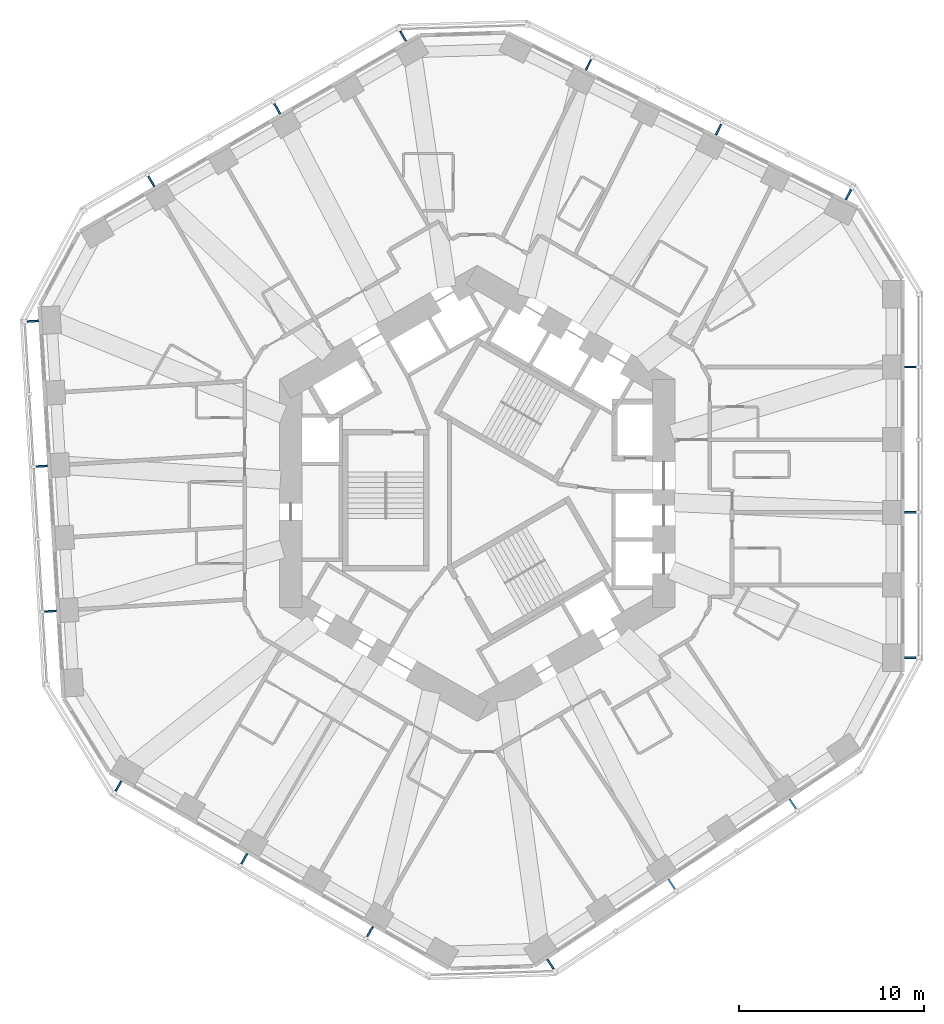
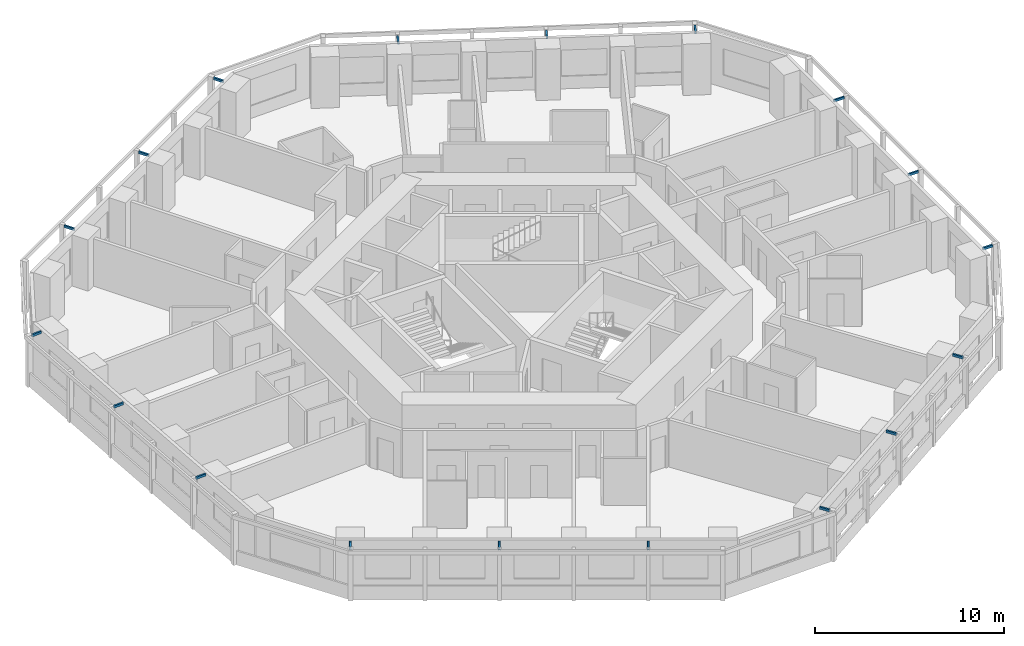
# One storey, part 11 of 12: 18 discrete accessories.
"""IFC4 building model written with IfcOpenShell, lengths in metres."""

from ifc_helpers import new_model, si_unit, direction, frame, origin, origin_2d, place, context, subcontext, project, spatial, rectangle, extrude, material, type_object, element, save


model = new_model("IFC4")

# Units and contexts
model_context = context("Model", 3, precision=1e-05, world=origin(), true_north=direction((0.0, 1.0)))
body_context = subcontext(model_context, "Body", "Model", "MODEL_VIEW")
ifc_project = project(units=[si_unit("LENGTHUNIT", "METRE"), si_unit("AREAUNIT", "SQUARE_METRE"), si_unit("VOLUMEUNIT", "CUBIC_METRE"), si_unit("PLANEANGLEUNIT", "RADIAN"), si_unit("MASSUNIT", "GRAM", prefix="KILO")], contexts=[model_context])

# Site, building, storey
site_placement = place(None, origin())
site = spatial("IfcSite", under=ifc_project, at=site_placement, CompositionType="ELEMENT")
building_placement = place(site_placement, origin())
building = spatial("IfcBuilding", under=site, at=building_placement, Name="Vanh Sen Convention Tower", CompositionType="ELEMENT")
storey_placement = place(building_placement, frame((0.0, 0.0, 60.5)))
storey = spatial("IfcBuildingStorey", under=building, at=storey_placement, Name="L12", CompositionType="ELEMENT", Elevation=60.5)

# Discrete accessories
ifc_material = material(Name="Steel S355", Category="steel")
discrete_accessory_type = type_object("IfcDiscreteAccessoryType", Name="Fin bracket 100 x 150", PredefinedType="BRACKET", material=ifc_material)
discrete_accessory_1_placement = place(storey_placement, frame((23.449951171875, -8.899169921875, 3.10009765625), z_axis=(0.0, 0.0, 1.0), x_axis=(1.0, 0.0, 0.0)))
element("IfcDiscreteAccessory", 1, at=discrete_accessory_1_placement, inside=storey, type_object=discrete_accessory_type, Name="Fin bracket E-1 L12", PredefinedType="BRACKET", context=body_context, shape_type="SweptSolid", body=[
    extrude(rectangle(XDim=0.60009765625, YDim=0.10009765625, at=origin_2d()), origin(), (0.0, 0.0, 1.0), 0.14990234375),
])
for number, where, z_axis, x_axis, name in (
    (2, (23.46240234375, -1.030029296875, 3.10009765625), (0.0, 0.0, 1.0), (1.0, 0.0, 0.0), "Fin bracket E-3 L12"),
    (3, (23.46240234375, 6.839111328125, 3.10009765625), (0.0, 0.0, 1.0), (1.0, 0.0, 0.0), "Fin bracket E-5 L12"),
):
    element("IfcDiscreteAccessory", number, at=place(storey_placement, frame(where, z_axis=z_axis, x_axis=x_axis)), inside=storey, type_object=discrete_accessory_type, Name=name, PredefinedType="BRACKET", context=body_context, shape_type="SweptSolid", body=[
        extrude(rectangle(XDim=0.625, YDim=0.10009765625, at=origin_2d()), origin(), (0.0, 0.0, 1.0), 0.14990234375),
    ])
discrete_accessory_2_placement = place(storey_placement, frame((20.10498046875, 16.178955078125, 3.10009765625), z_axis=(0.0, 0.0, 1.0), x_axis=(0.44619781311, 0.894934361602, 0.0)))
element("IfcDiscreteAccessory", 4, at=discrete_accessory_2_placement, inside=storey, type_object=discrete_accessory_type, Name="Fin bracket NE-1 L12", PredefinedType="BRACKET", context=body_context, shape_type="SweptSolid", body=[
    extrude(rectangle(XDim=0.60009765625, YDim=0.10009765625, at=origin_2d()), origin(), (0.0, 0.0, 1.0), 0.14990234375),
])
for number, where, z_axis, x_axis, name in (
    (5, (13.068359375, 19.701416015625, 3.10009765625), (0.0, 0.0, 1.0), (0.44619781311, 0.894934361602, 0.0), "Fin bracket NE-3 L12"),
    (6, (6.02587890625, 23.212646484375, 3.10009765625), (0.0, 0.0, 1.0), (0.44619781311, 0.894934361602, 0.0), "Fin bracket NE-5 L12"),
):
    element("IfcDiscreteAccessory", number, at=place(storey_placement, frame(where, z_axis=z_axis, x_axis=x_axis)), inside=storey, type_object=discrete_accessory_type, Name=name, PredefinedType="BRACKET", context=body_context, shape_type="SweptSolid", body=[
        extrude(rectangle(XDim=0.625, YDim=0.10009765625, at=origin_2d()), origin(), (0.0, 0.0, 1.0), 0.14990234375),
    ])
discrete_accessory_3_placement = place(storey_placement, frame((-4.01806640625, 24.7578125, 3.10009765625), z_axis=(0.0, 0.0, 1.0), x_axis=(-0.5, 0.866025403784, 0.0)))
element("IfcDiscreteAccessory", 7, at=discrete_accessory_3_placement, inside=storey, type_object=discrete_accessory_type, Name="Fin bracket NW-1 L12", PredefinedType="BRACKET", context=body_context, shape_type="SweptSolid", body=[
    extrude(rectangle(XDim=0.60009765625, YDim=0.10009765625, at=origin_2d()), origin(), (0.0, 0.0, 1.0), 0.14990234375),
])
for number, where, z_axis, x_axis, name in (
    (8, (-10.839111328125, 20.834228515625, 3.10009765625), (0.0, 0.0, 1.0), (-0.5, 0.866025403784, 0.0), "Fin bracket NW-3 L12"),
    (9, (-17.654296875, 16.899658203125, 3.10009765625), (0.0, 0.0, 1.0), (-0.5, 0.866025403784, 0.0), "Fin bracket NW-5 L12"),
):
    element("IfcDiscreteAccessory", number, at=place(storey_placement, frame(where, z_axis=z_axis, x_axis=x_axis)), inside=storey, type_object=discrete_accessory_type, Name=name, PredefinedType="BRACKET", context=body_context, shape_type="SweptSolid", body=[
        extrude(rectangle(XDim=0.625, YDim=0.10009765625, at=origin_2d()), origin(), (0.0, 0.0, 1.0), 0.14990234375),
    ])
discrete_accessory_4_placement = place(storey_placement, frame((-24.06396484375, 9.322021484375, 3.10009765625), z_axis=(0.0, 0.0, 1.0), x_axis=(-0.998134798422, -0.061048539535, 0.0)))
element("IfcDiscreteAccessory", 10, at=discrete_accessory_4_placement, inside=storey, type_object=discrete_accessory_type, Name="Fin bracket W-1 L12", PredefinedType="BRACKET", context=body_context, shape_type="SweptSolid", body=[
    extrude(rectangle(XDim=0.60009765625, YDim=0.10009765625, at=origin_2d()), origin(), (0.0, 0.0, 1.0), 0.14990234375),
])
for number, where, z_axis, x_axis, name in (
    (11, (-23.595947265625, 1.466796875, 3.10009765625), (0.0, 0.0, 1.0), (-0.998134798422, -0.061048539535, 0.0), "Fin bracket W-3 L12"),
    (12, (-23.115478515625, -6.3876953125, 3.10009765625), (0.0, 0.0, 1.0), (-0.998134798422, -0.061048539535, 0.0), "Fin bracket W-5 L12"),
):
    element("IfcDiscreteAccessory", number, at=place(storey_placement, frame(where, z_axis=z_axis, x_axis=x_axis)), inside=storey, type_object=discrete_accessory_type, Name=name, PredefinedType="BRACKET", context=body_context, shape_type="SweptSolid", body=[
        extrude(rectangle(XDim=0.625, YDim=0.10009765625, at=origin_2d()), origin(), (0.0, 0.0, 1.0), 0.14990234375),
    ])
discrete_accessory_5_placement = place(storey_placement, frame((-19.431884765625, -15.858642578125, 3.10009765625), z_axis=(0.0, 0.0, 1.0), x_axis=(-0.5, -0.866025403784, 0.0)))
element("IfcDiscreteAccessory", 13, at=discrete_accessory_5_placement, inside=storey, type_object=discrete_accessory_type, Name="Fin bracket SW-1 L12", PredefinedType="BRACKET", context=body_context, shape_type="SweptSolid", body=[
    extrude(rectangle(XDim=0.60009765625, YDim=0.10009765625, at=origin_2d()), origin(), (0.0, 0.0, 1.0), 0.14990234375),
])
for number, where, z_axis, x_axis, name in (
    (14, (-12.623291015625, -19.80419921875, 3.10009765625), (0.0, 0.0, 1.0), (-0.5, -0.866025403784, 0.0), "Fin bracket SW-3 L12"),
    (15, (-5.808349609375, -23.73876953125, 3.10009765625), (0.0, 0.0, 1.0), (-0.5, -0.866025403784, 0.0), "Fin bracket SW-5 L12"),
):
    element("IfcDiscreteAccessory", number, at=place(storey_placement, frame(where, z_axis=z_axis, x_axis=x_axis)), inside=storey, type_object=discrete_accessory_type, Name=name, PredefinedType="BRACKET", context=body_context, shape_type="SweptSolid", body=[
        extrude(rectangle(XDim=0.625, YDim=0.10009765625, at=origin_2d()), origin(), (0.0, 0.0, 1.0), 0.14990234375),
    ])
discrete_accessory_6_placement = place(storey_placement, frame((3.958740234375, -25.5009765625, 3.10009765625), z_axis=(0.0, 0.0, 1.0), x_axis=(0.551936985312, -0.833885822067, 0.0)))
element("IfcDiscreteAccessory", 16, at=discrete_accessory_6_placement, inside=storey, type_object=discrete_accessory_type, Name="Fin bracket SE-1 L12", PredefinedType="BRACKET", context=body_context, shape_type="SweptSolid", body=[
    extrude(rectangle(XDim=0.60009765625, YDim=0.10009765625, at=origin_2d()), origin(), (0.0, 0.0, 1.0), 0.14990234375),
])
for number, where, z_axis, x_axis, name in (
    (17, (10.527587890625, -21.168212890625, 3.10009765625), (0.0, 0.0, 1.0), (0.551936985312, -0.833885822067, 0.0), "Fin bracket SE-3 L12"),
    (18, (17.089599609375, -16.824951171875, 3.10009765625), (0.0, 0.0, 1.0), (0.551936985312, -0.833885822067, 0.0), "Fin bracket SE-5 L12"),
):
    element("IfcDiscreteAccessory", number, at=place(storey_placement, frame(where, z_axis=z_axis, x_axis=x_axis)), inside=storey, type_object=discrete_accessory_type, Name=name, PredefinedType="BRACKET", context=body_context, shape_type="SweptSolid", body=[
        extrude(rectangle(XDim=0.625, YDim=0.10009765625, at=origin_2d()), origin(), (0.0, 0.0, 1.0), 0.14990234375),
    ])

save(model, "model.ifc")
